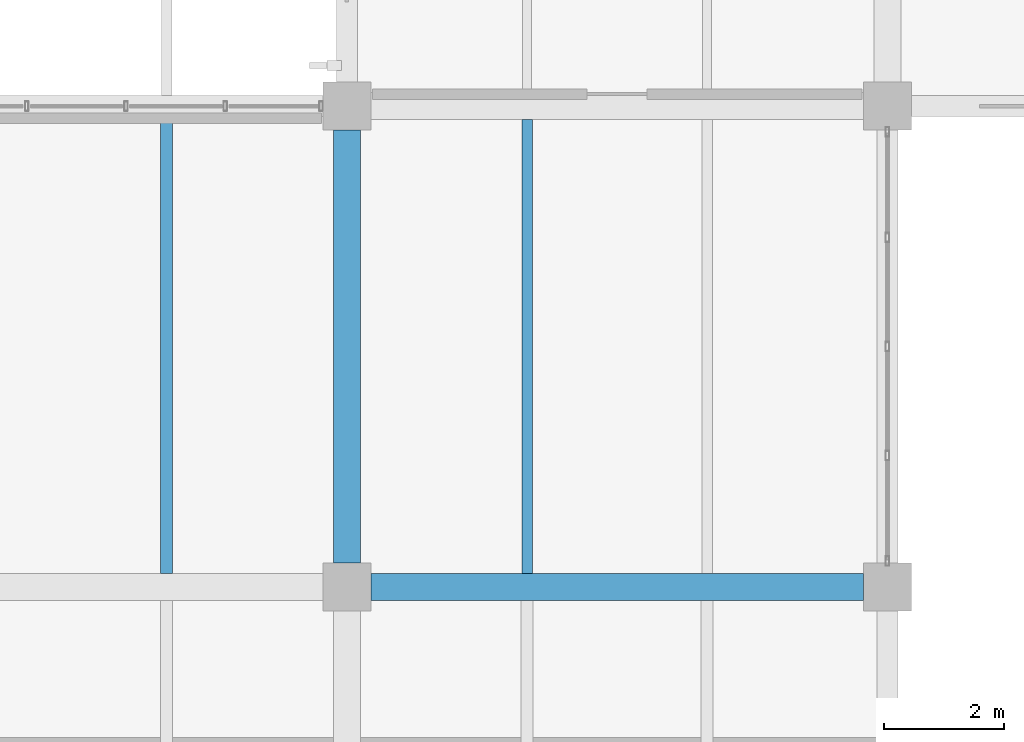
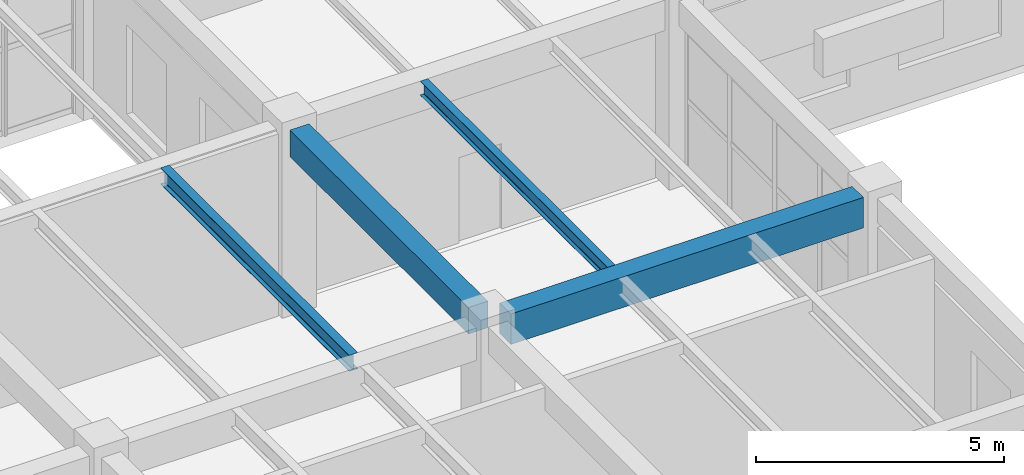
# One storey, part 27 of 178: 4 beams.
"""IFC4 building model written with IfcOpenShell, lengths in metres."""

from ifc_helpers import new_model, si_unit, derived_unit, direction, frame, origin, origin_2d, place, context, subcontext, project, spatial, rectangle, i_section, extrude, material, material_profile, profile_set, type_object, element, save


model = new_model("IFC4")

# Units and contexts
model_context = context("Model", 3, precision=1e-05, world=origin(), true_north=direction((0.0, 1.0)))
body_context = subcontext(model_context, "Body", "Model", "MODEL_VIEW")
ifc_project = project(units=[si_unit("LENGTHUNIT", "METRE"), si_unit("AREAUNIT", "SQUARE_METRE"), si_unit("VOLUMEUNIT", "CUBIC_METRE"), si_unit("PLANEANGLEUNIT", "RADIAN"), si_unit("MASSUNIT", "GRAM", prefix="KILO"), derived_unit("THERMALTRANSMITTANCEUNIT", [(si_unit("MASSUNIT", "GRAM", prefix="KILO"), 1), (si_unit("TIMEUNIT", "SECOND"), -3), (si_unit("THERMODYNAMICTEMPERATUREUNIT", "KELVIN"), -1)])], contexts=[model_context])

# Site, building, storey
site_placement = place(None, origin())
site = spatial("IfcSite", under=ifc_project, at=site_placement, CompositionType="ELEMENT")
building_placement = place(site_placement, origin())
building = spatial("IfcBuilding", under=site, at=building_placement, Name="Zhenchuan Archway Interchange", CompositionType="ELEMENT")
storey_placement = place(building_placement, frame((0.0, 0.0, 5.39990234375)))
storey = spatial("IfcBuildingStorey", under=building, at=storey_placement, Name="L01", CompositionType="ELEMENT", Elevation=5.39990234375)

# Beams
ifc_material_1 = material(Name="Concrete C40", Category="concrete")
ifc_material_profile_1 = material_profile(ifc_material_1, rectangle(XDim=0.449951171875, YDim=0.64990234375, at=origin_2d()), Name="RC 450x650")
ifc_profile_set_1 = profile_set([ifc_material_profile_1], Name="Concrete C40")
beam_type_1 = type_object("IfcBeamType", Name="BM_RC_450x650", PredefinedType="BEAM", material=ifc_profile_set_1)
beam_1_placement = place(storey_placement, frame((36.0, 8.39990234375, 4.2451171875), z_axis=(0.0, 1.0, 0.0), x_axis=(-1.0, 0.0, 0.0)))
element("IfcBeam", 1, at=beam_1_placement, inside=storey, type_object=beam_type_1, Name="Beam 5:B-C (L01)", PredefinedType="BEAM", context=body_context, shape_type="SweptSolid", body=[
    extrude(rectangle(XDim=0.449951171875, YDim=0.64990234375, at=origin_2d()), origin(), (0.0, 0.0, 1.0), 7.2001953125),
])
ifc_material_profile_2 = material_profile(ifc_material_1, rectangle(XDim=0.449951171875, YDim=0.75, at=origin_2d()), Name="RC 450x750")
ifc_profile_set_2 = profile_set([ifc_material_profile_2], Name="Concrete C40")
beam_type_2 = type_object("IfcBeamType", Name="BM_RC_450x750", PredefinedType="BEAM", material=ifc_profile_set_2)
beam_2_placement = place(storey_placement, frame((36.39990234375, 8.0, 4.195068359375), z_axis=(1.0, 0.0, 0.0), x_axis=(0.0, 1.0, 0.0)))
element("IfcBeam", 2, at=beam_2_placement, inside=storey, type_object=beam_type_2, Name="Beam B:5-6 (L01)", PredefinedType="BEAM", context=body_context, shape_type="SweptSolid", body=[
    extrude(rectangle(XDim=0.449951171875, YDim=0.75, at=origin_2d()), origin(), (0.0, 0.0, 1.0), 8.2001953125),
])
ifc_material_2 = material(Name="Steel Q355", Category="steel")
ifc_material_profile_3 = material_profile(ifc_material_2, i_section(OverallWidth=0.175048828125, OverallDepth=0.35009765625, WebThickness=0.007080078125, FlangeThickness=0.010986328125, FilletRadius=0.013916015625, at=origin_2d()), Name="HN 350x175")
ifc_profile_set_3 = profile_set([ifc_material_profile_3], Name="Steel Q355")
beam_type_3 = type_object("IfcBeamType", Name="JST_STL_HN350", PredefinedType="JOIST", material=ifc_profile_set_3)
beam_3_placement = place(storey_placement, frame((39.0, 8.22509765625, 4.39501953125), z_axis=(0.0, 1.0, 0.0), x_axis=(-1.0, 0.0, 0.0)))
element("IfcBeam", 3, at=beam_3_placement, inside=storey, type_object=beam_type_3, Name="Secondary joist 5-6/B-C #1 (L01)", PredefinedType="JOIST", context=body_context, shape_type="SweptSolid", body=[
    extrude(i_section(OverallWidth=0.175048828125, OverallDepth=0.35009765625, WebThickness=0.007080078125, FlangeThickness=0.010986328125, FilletRadius=0.013916015625, at=origin_2d()), origin(), (0.0, 0.0, 1.0), 7.5498046875),
])
ifc_material_profile_4 = material_profile(ifc_material_2, i_section(OverallWidth=0.199951171875, OverallDepth=0.39990234375, WebThickness=0.008056640625, FlangeThickness=0.012939453125, FilletRadius=0.01611328125, at=origin_2d()), Name="HN 400x200")
ifc_profile_set_4 = profile_set([ifc_material_profile_4], Name="Steel Q355")
beam_type_4 = type_object("IfcBeamType", Name="JST_STL_HN400", PredefinedType="JOIST", material=ifc_profile_set_4)
beam_4_placement = place(storey_placement, frame((33.0, 8.22509765625, 4.31005859375), z_axis=(0.0, 1.0, 0.0), x_axis=(-1.0, 0.0, 0.0)))
element("IfcBeam", 4, at=beam_4_placement, inside=storey, type_object=beam_type_4, Name="Secondary joist 4-5/B-C #2 (L01)", PredefinedType="JOIST", context=body_context, shape_type="SweptSolid", body=[
    extrude(i_section(OverallWidth=0.199951171875, OverallDepth=0.39990234375, WebThickness=0.008056640625, FlangeThickness=0.012939453125, FilletRadius=0.01611328125, at=origin_2d()), origin(), (0.0, 0.0, 1.0), 7.599853515625),
])

save(model, "model.ifc")
